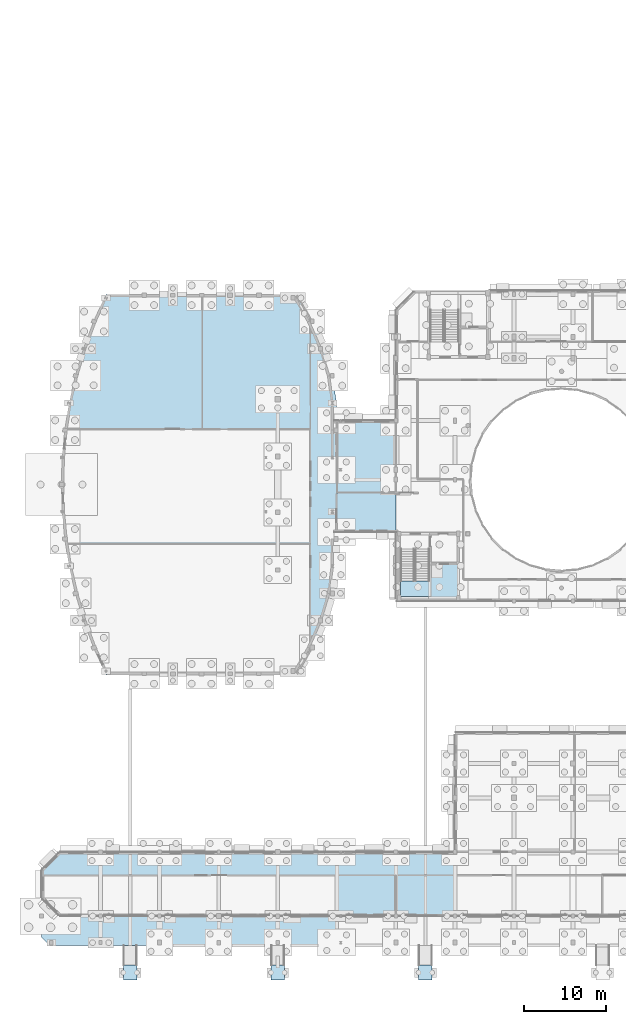
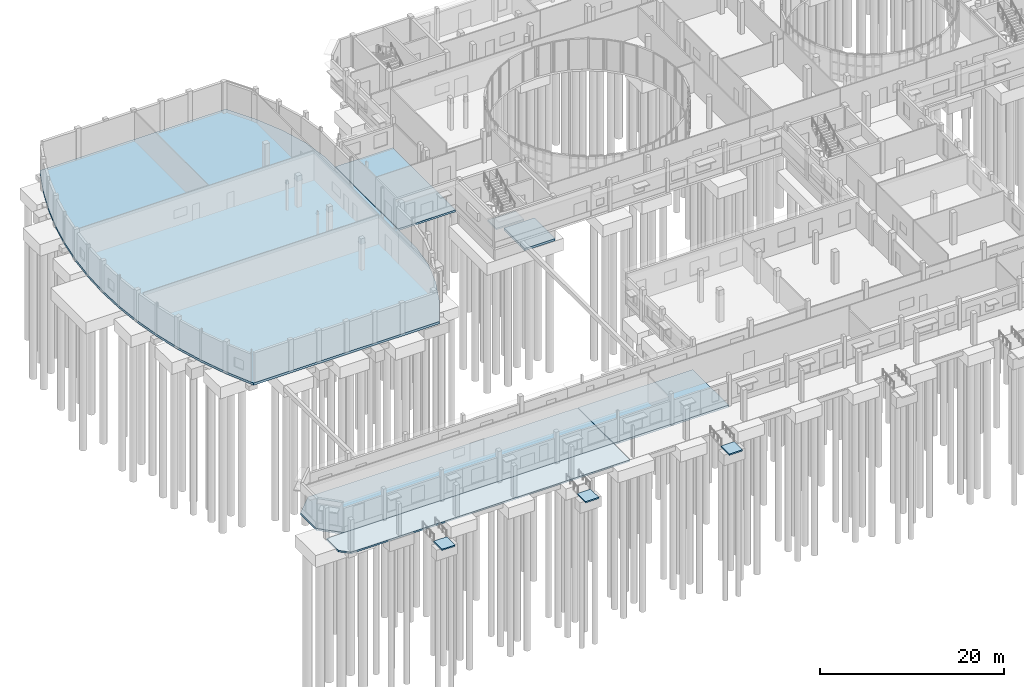
# One storey, part 48 of 93: 10 slabs, 4 elements without a shape of their own.
"""IFC4 building model written with IfcOpenShell, lengths in metres."""

from ifc_helpers import new_model, si_unit, direction, frame, origin, place, context, subcontext, project, spatial, polyline, outline, extrude, material, layer, layer_set, type_object, element, aggregate, save


model = new_model("IFC4")

# Units and contexts
model_context = context("Model", 3, precision=1e-05, world=origin(), true_north=direction((0.0, 1.0)))
body_context = subcontext(model_context, "Body", "Model", "MODEL_VIEW")
ifc_project = project(units=[si_unit("LENGTHUNIT", "METRE"), si_unit("AREAUNIT", "SQUARE_METRE"), si_unit("VOLUMEUNIT", "CUBIC_METRE"), si_unit("PLANEANGLEUNIT", "RADIAN"), si_unit("MASSUNIT", "GRAM", prefix="KILO")], contexts=[model_context])

# Site, building, storey
site_placement = place(None, origin())
site = spatial("IfcSite", under=ifc_project, at=site_placement, CompositionType="ELEMENT")
building_placement = place(site_placement, origin())
building = spatial("IfcBuilding", under=site, at=building_placement, Name="Kelanivale Promenade Academy", CompositionType="ELEMENT")
storey_placement = place(building_placement, origin())
storey = spatial("IfcBuildingStorey", under=building, at=storey_placement, Name="L00", CompositionType="ELEMENT", Elevation=0.0)

# Slabs
ifc_material = material(Name="Concrete C35/45", Category="concrete")
ifc_layer_1 = layer(ifc_material, 0.25)
ifc_layer_set_1 = layer_set([ifc_layer_1], Name="Concrete C35/45")
slab_type_1 = type_object("IfcSlabType", Name="BS-01 Slab 250mm", PredefinedType="BASESLAB", material=ifc_layer_set_1)
slab_1_placement = place(storey_placement, frame((0.0, 0.0, -0.25)))
element("IfcSlab", 1, at=slab_1_placement, inside=storey, type_object=slab_type_1, Name="L00 structural slab SLB-L00-V3W1", PredefinedType="BASESLAB", context=body_context, shape_type="SweptSolid", body=[
    extrude(outline(polyline([(2.18408203125, 3.60009765625), (35.949951171875, 3.60009765625), (35.949951171875, 11.39990234375), (2.18408203125, 11.39990234375), (0.0, 9.216064453125), (0.0, 5.783935546875), (2.18408203125, 3.60009765625)])), origin(), (0.0, 0.0, 1.0), 0.25),
])
slab_2_placement = place(storey_placement, frame((0.0, 0.0, -0.25)))
element("IfcSlab", 2, at=slab_2_placement, inside=storey, type_object=slab_type_1, Name="L00 structural slab SLB-L00-V3W2", PredefinedType="BASESLAB", context=body_context, shape_type="SweptSolid", body=[
    extrude(outline(polyline([(36.0, 11.39990234375), (36.0, 3.60009765625), (50.39990234375, 3.60009765625), (50.39990234375, 11.39990234375), (36.0, 11.39990234375)])), origin(), (0.0, 0.0, 1.0), 0.25),
])
slab_3_placement = place(storey_placement, frame((0.0, 0.0, -0.25)))
element("IfcSlab", 3, at=slab_3_placement, inside=storey, type_object=slab_type_1, Name="L00 structural slab SLB-L00-V4FW", PredefinedType="BASESLAB", context=body_context, shape_type="SweptSolid", body=[
    extrude(outline(polyline([(36.0, 64.0), (36.0, 50.39990234375), (43.199951171875, 50.39990234375), (43.199951171875, 64.0), (36.0, 64.0)])), origin(), (0.0, 0.0, 1.0), 0.25),
])
ifc_layer_2 = layer(ifc_material, 0.300048828125)
ifc_layer_set_2 = layer_set([ifc_layer_2], Name="Concrete C35/45")
slab_type_2 = type_object("IfcSlabType", Name="BS-02 Slab 300mm", PredefinedType="BASESLAB", material=ifc_layer_set_2)
slab_4_placement = place(storey_placement, frame((0.0, 0.0, -0.300048828125)))
element("IfcSlab", 4, at=slab_4_placement, inside=storey, type_object=slab_type_2, Name="L00 structural slab SLB-L00-V1", PredefinedType="BASESLAB", context=body_context, shape_type="SweptSolid", body=[
    extrude(outline(polyline([(3.35888671875, 46.257080078125), (4.117919921875, 42.943115234375), (5.111083984375, 39.62890625), (6.35302734375, 36.31396484375), (7.862060546875, 33.0), (31.14990234375, 33.0), (33.050048828125, 36.31396484375), (34.5, 39.62890625), (35.5, 42.943115234375), (35.949951171875, 46.257080078125), (35.949951171875, 66.14306640625), (35.5, 69.45703125), (34.5, 72.77099609375), (33.050048828125, 76.0859375), (31.14990234375, 79.39990234375), (7.862060546875, 79.39990234375), (6.35302734375, 76.0859375), (5.111083984375, 72.77099609375), (4.117919921875, 69.45703125), (3.35888671875, 66.14306640625), (2.823974609375, 62.8291015625), (2.506103515625, 59.513916015625), (2.39990234375, 56.199951171875), (2.506103515625, 52.885986328125), (2.823974609375, 49.571044921875), (3.35888671875, 46.257080078125)])), origin(), (0.0, 0.0, 1.0), 0.300048828125),
])
slab_5_placement = place(storey_placement, frame((0.0, 0.0, -1.85009765625)))
element("IfcSlab", 5, at=slab_5_placement, inside=storey, type_object=slab_type_2, Name="CORE-6 lift pit waterproof RC base slab (-1.550 m)", PredefinedType="BASESLAB", context=body_context, shape_type="SweptSolid", body=[
    extrude(outline(polyline([(47.155029296875, 42.235107421875), (50.965087890625, 42.235107421875), (50.965087890625, 46.7548828125), (47.155029296875, 46.7548828125), (47.155029296875, 42.235107421875)])), origin(), (0.0, 0.0, 1.0), 0.300048828125),
])

# Stair, slab
stair_type = type_object("IfcStairType", Name="ST-T01 Protected dog-leg ground-storey stai", PredefinedType="HALF_TURN_STAIR", material=ifc_material)
stair_placement = place(storey_placement, origin())
stair = element("IfcStair", 6, at=stair_placement, inside=storey, type_object=stair_type, Name="L00 ST-06", PredefinedType="HALF_TURN_STAIR")
ifc_layer_3 = layer(ifc_material, 0.199951171875)
ifc_layer_set_3 = layer_set([ifc_layer_3], Name="Concrete C35/45")
slab_type_3 = type_object("IfcSlabType", Name="LS-01 Slab 200mm", PredefinedType="LANDING", material=ifc_layer_set_3)
slab_6_placement = place(storey_placement, frame((0.0, 0.0, 1.89990234375)))
slab_6 = element("IfcSlab", 7, at=slab_6_placement, type_object=slab_type_3, Name="ST-06 landing 1", PredefinedType="LANDING", context=body_context, shape_type="SweptSolid", body=[
    extrude(outline(polyline([(43.764892578125, 44.445068359375), (43.764892578125, 42.56494140625), (47.264892578125, 42.56494140625), (47.264892578125, 44.445068359375), (43.764892578125, 44.445068359375)])), origin(), (0.0, 0.0, 1.0), 0.2001953125),
])
aggregate(stair, [slab_6])

# Ramp, slab
ramp_type = type_object("IfcRampType", Name="RMP-01 Accessible Plinth Ramp", PredefinedType="STRAIGHT_RUN_RAMP", material=ifc_material)
ramp_1_placement = place(storey_placement, origin())
ramp_1 = element("IfcRamp", 8, at=ramp_1_placement, inside=storey, type_object=ramp_type, Name="Accessible 1:12 promenade ramp R-01", PredefinedType="STRAIGHT_RUN_RAMP")
ifc_layer_4 = layer(ifc_material, 0.175048828125)
ifc_layer_set_4 = layer_set([ifc_layer_4], Name="Concrete C35/45")
slab_type_4 = type_object("IfcSlabType", Name="LS-02 Slab 175mm", PredefinedType="LANDING", material=ifc_layer_set_4)
slab_7_placement = place(storey_placement, frame((0.0, 0.0, -0.375)))
slab_7 = element("IfcSlab", 9, at=slab_7_placement, type_object=slab_type_4, Name="Ramp R-01 bottom approach landing", PredefinedType="LANDING", context=body_context, shape_type="SweptSolid", body=[
    extrude(outline(polyline([(9.97509765625, -4.199951171875), (11.625, -4.199951171875), (11.625, -2.39990234375), (9.97509765625, -2.39990234375), (9.97509765625, -4.199951171875)])), origin(), (0.0, 0.0, 1.0), 0.175048828125),
])
aggregate(ramp_1, [slab_7])

ramp_2_placement = place(storey_placement, origin())
ramp_2 = element("IfcRamp", 10, at=ramp_2_placement, inside=storey, type_object=ramp_type, Name="Accessible 1:12 promenade ramp R-02", PredefinedType="STRAIGHT_RUN_RAMP")
slab_8_placement = place(storey_placement, frame((0.0, 0.0, -0.375)))
slab_8 = element("IfcSlab", 11, at=slab_8_placement, type_object=slab_type_4, Name="Ramp R-02 bottom approach landing", PredefinedType="LANDING", context=body_context, shape_type="SweptSolid", body=[
    extrude(outline(polyline([(27.97509765625, -4.199951171875), (29.625, -4.199951171875), (29.625, -2.39990234375), (27.97509765625, -2.39990234375), (27.97509765625, -4.199951171875)])), origin(), (0.0, 0.0, 1.0), 0.175048828125),
])
aggregate(ramp_2, [slab_8])

ramp_3_placement = place(storey_placement, origin())
ramp_3 = element("IfcRamp", 12, at=ramp_3_placement, inside=storey, type_object=ramp_type, Name="Accessible 1:12 promenade ramp R-03", PredefinedType="STRAIGHT_RUN_RAMP")
slab_9_placement = place(storey_placement, frame((0.0, 0.0, -0.375)))
slab_9 = element("IfcSlab", 13, at=slab_9_placement, type_object=slab_type_4, Name="Ramp R-03 bottom approach landing", PredefinedType="LANDING", context=body_context, shape_type="SweptSolid", body=[
    extrude(outline(polyline([(45.97509765625, -4.199951171875), (47.625, -4.199951171875), (47.625, -2.39990234375), (45.97509765625, -2.39990234375), (45.97509765625, -4.199951171875)])), origin(), (0.0, 0.0, 1.0), 0.175048828125),
])
aggregate(ramp_3, [slab_9])

# Slab
ifc_layer_5 = layer(ifc_material, 0.205078125)
ifc_layer_set_5 = layer_set([ifc_layer_5], Name="Concrete C35/45")
slab_type_5 = type_object("IfcSlabType", Name="PD-02 Slab 205mm", PredefinedType="FLOOR", material=ifc_layer_set_5)
slab_10_placement = place(storey_placement, frame((0.0, 0.0, -0.205078125)))
element("IfcSlab", 14, at=slab_10_placement, inside=storey, type_object=slab_type_5, Name="Harbour Promenade West Colonnade", PredefinedType="FLOOR", context=body_context, shape_type="SweptSolid", body=[
    extrude(outline(polyline([(1.008056640625, 0.0), (35.949951171875, 0.0), (35.949951171875, 3.60009765625), (0.0, 3.60009765625), (0.0, 1.008056640625), (1.008056640625, 0.0)])), origin(), (0.0, 0.0, 1.0), 0.205078125),
])

save(model, "model.ifc")
